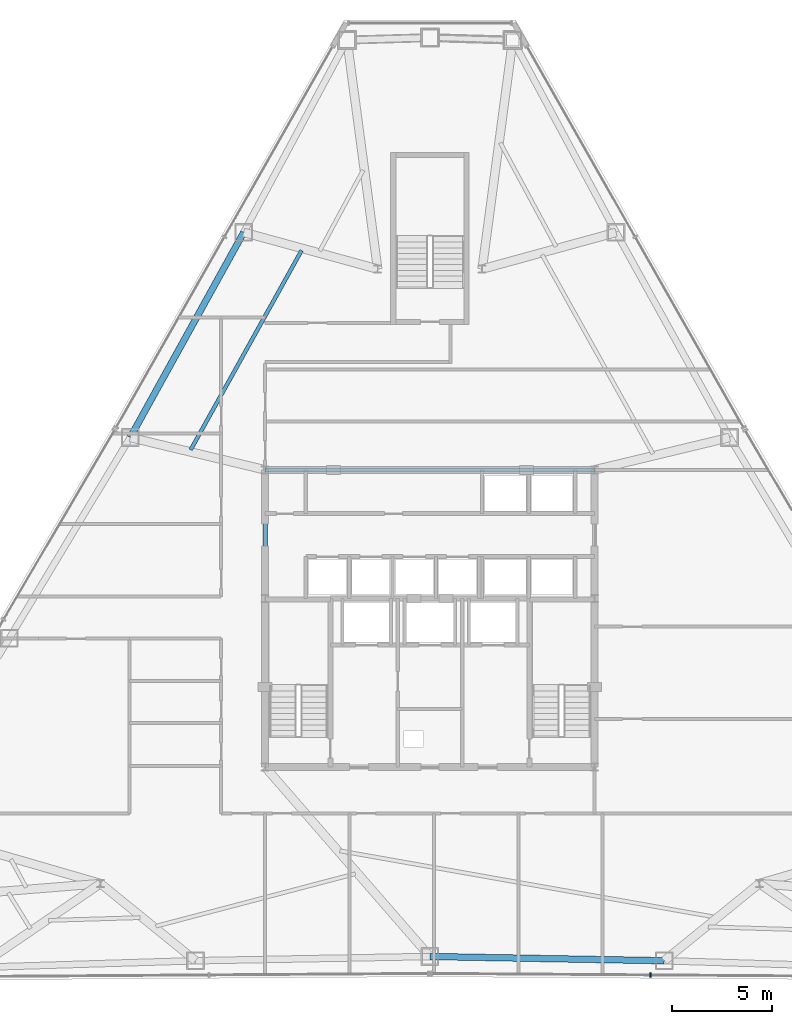
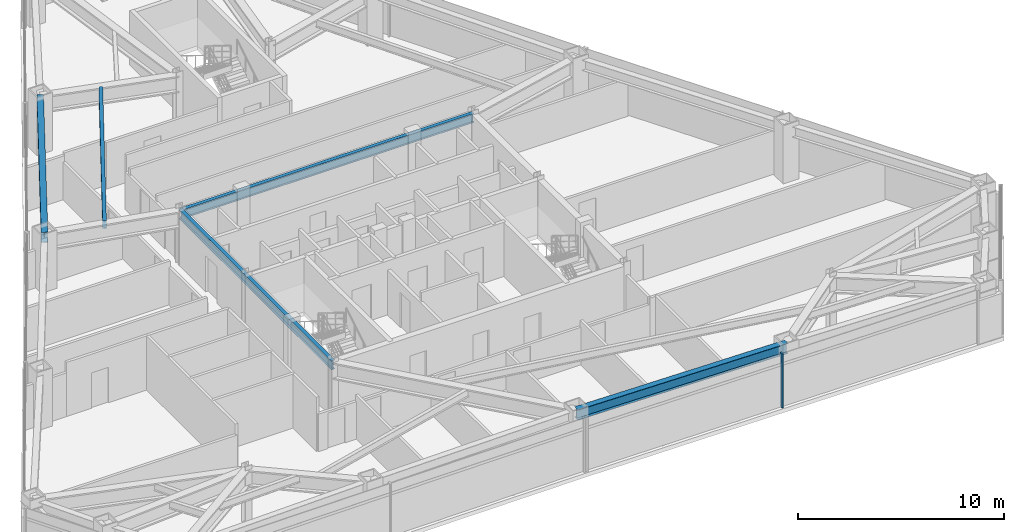
# One storey, part 5 of 13: 5 beams, 1 member, 1 element without a shape of its own.
"""IFC4 building model written with IfcOpenShell, lengths in metres."""

from ifc_helpers import new_model, si_unit, direction, frame, origin, origin_2d, place, context, subcontext, project, spatial, rectangle, i_section, extrude, source, transform, mapped, material, layer, layer_set, material_profile, profile_set, type_object, type_shapes, element, aggregate, save


model = new_model("IFC4")

# Units and contexts
model_context = context("Model", 3, precision=1e-05, world=origin(), true_north=direction((0.0, 1.0)))
body_context = subcontext(model_context, "Body", "Model", "MODEL_VIEW")
ifc_project = project(units=[si_unit("LENGTHUNIT", "METRE"), si_unit("AREAUNIT", "SQUARE_METRE"), si_unit("VOLUMEUNIT", "CUBIC_METRE"), si_unit("PLANEANGLEUNIT", "RADIAN"), si_unit("MASSUNIT", "GRAM", prefix="KILO")], contexts=[model_context])

# Site, building, storey
site_placement = place(None, origin())
site = spatial("IfcSite", under=ifc_project, at=site_placement, CompositionType="ELEMENT")
building_placement = place(site_placement, origin())
building = spatial("IfcBuilding", under=site, at=building_placement, Name="Varakhsha Concourse Tower", CompositionType="ELEMENT")
storey_placement = place(building_placement, frame((0.0, 0.0, 136.699951171875)))
storey = spatial("IfcBuildingStorey", under=building, at=storey_placement, Name="L39", CompositionType="ELEMENT", Elevation=136.699951171875)

# Beams
ifc_material_1 = material(Name="Structural Steel ASTM A992 Grade 50", Category="steel")
ifc_material_profile_1 = material_profile(ifc_material_1, i_section(OverallWidth=0.19091796875, OverallDepth=0.45703125, WebThickness=0.009033203125, FlangeThickness=0.013916015625, at=origin_2d()), Name="W18X50")
ifc_profile_set_1 = profile_set([ifc_material_profile_1], Name="Structural Steel ASTM A992 Grade 50")
beam_type_1 = type_object("IfcBeamType", Name="BM-JST-W18X50", PredefinedType="JOIST", material=ifc_profile_set_1)
beam_1_placement = place(storey_placement, frame((33.611572265625, 42.126708984375, 2.9814453125), z_axis=(-0.486139230304, -0.873881369958, 0.0), x_axis=(0.873881369958, -0.486139230304, 0.0)))
element("IfcBeam", 1, at=beam_1_placement, inside=storey, type_object=beam_type_1, Name="BM-TJST-L39-04", PredefinedType="JOIST", context=body_context, shape_type="SweptSolid", body=[
    extrude(i_section(OverallWidth=0.19091796875, OverallDepth=0.45703125, WebThickness=0.009033203125, FlangeThickness=0.013916015625, at=origin_2d()), origin(), (0.0, 0.0, 1.0), 11.35888671875),
])
ifc_material_profile_2 = material_profile(ifc_material_1, i_section(OverallWidth=0.2109375, OverallDepth=0.5390625, WebThickness=0.011962890625, FlangeThickness=0.01904296875, at=origin_2d()), Name="W21X73")
ifc_profile_set_2 = profile_set([ifc_material_profile_2], Name="Structural Steel ASTM A992 Grade 50")
beam_type_2 = type_object("IfcBeamType", Name="BM-RAD-W21X73", PredefinedType="BEAM", material=ifc_profile_set_2)
beam_2_placement = place(storey_placement, frame((31.800048828125, 31.199951171875, 2.9404296875), z_axis=(1.0, 0.0, 0.0), x_axis=(0.0, 1.0, 0.0)))
element("IfcBeam", 2, at=beam_2_placement, inside=storey, type_object=beam_type_2, Name="BM-TCORE-L39-CN", PredefinedType="BEAM", context=body_context, shape_type="SweptSolid", body=[
    extrude(i_section(OverallWidth=0.2109375, OverallDepth=0.5390625, WebThickness=0.011962890625, FlangeThickness=0.01904296875, at=origin_2d()), origin(), (0.0, 0.0, 1.0), 16.39990234375),
])
beam_3_placement = place(storey_placement, frame((31.800048828125, 16.39990234375, 2.9404296875), z_axis=(0.0, 1.0, 0.0), x_axis=(-1.0, 0.0, 0.0)))
element("IfcBeam", 3, at=beam_3_placement, inside=storey, type_object=beam_type_2, Name="BM-TCORE-L39-CW", PredefinedType="BEAM", context=body_context, shape_type="SweptSolid", body=[
    extrude(i_section(OverallWidth=0.2109375, OverallDepth=0.5390625, WebThickness=0.011962890625, FlangeThickness=0.01904296875, at=origin_2d()), origin(), (0.0, 0.0, 1.0), 14.800048828125),
])
ifc_material_profile_3 = material_profile(ifc_material_1, i_section(OverallWidth=0.323974609375, OverallDepth=0.611083984375, WebThickness=0.012939453125, FlangeThickness=0.01904296875, at=origin_2d()), Name="W24X104")
ifc_profile_set_3 = profile_set([ifc_material_profile_3], Name="Structural Steel ASTM A992 Grade 50")
beam_type_3 = type_object("IfcBeamType", Name="BM-SPAN-W24X104", PredefinedType="SPANDREL", material=ifc_profile_set_3)
beam_4_placement = place(storey_placement, frame((30.73046875, 43.0263671875, 2.904541015625), z_axis=(-0.484256982071, -0.874925811321, 0.0), x_axis=(0.874925811321, -0.484256982071, 0.0)))
element("IfcBeam", 4, at=beam_4_placement, inside=storey, type_object=beam_type_3, Name="BM-SPAN-L39-04", PredefinedType="SPANDREL", context=body_context, shape_type="SweptSolid", body=[
    extrude(i_section(OverallWidth=0.323974609375, OverallDepth=0.611083984375, WebThickness=0.012939453125, FlangeThickness=0.01904296875, at=origin_2d()), origin(), (0.0, 0.0, 1.0), 11.671142578125),
])
beam_5_placement = place(storey_placement, frame((40.0, 6.97021484375, 2.904541015625), z_axis=(0.99983628966, -0.018094028841, 0.0), x_axis=(0.018094028841, 0.99983628966, 0.0)))
element("IfcBeam", 5, at=beam_5_placement, inside=storey, type_object=beam_type_3, Name="BM-SPAN-L39-11", PredefinedType="SPANDREL", context=body_context, shape_type="SweptSolid", body=[
    extrude(i_section(OverallWidth=0.323974609375, OverallDepth=0.611083984375, WebThickness=0.012939453125, FlangeThickness=0.01904296875, at=origin_2d()), origin(), (0.0, 0.0, 1.0), 11.67138671875),
])

# Curtain wall, member
ifc_material_2 = material(Name="Anodised Bronze Architectural Aluminium AA 6063-T6", Category="aluminium")
ifc_layer = layer(ifc_material_2, 0.2099609375, Name="CW-SYS-04")
ifc_layer_set = layer_set([ifc_layer], Name="Anodised Bronze Architectural Aluminium AA 6063-T6")
curtain_wall_type = type_object("IfcCurtainWallType", Name="CW-SYS-04", PredefinedType="NOTDEFINED", material=ifc_layer_set)
curtain_wall_placement = place(storey_placement, origin())
curtain_wall = element("IfcCurtainWall", 6, at=curtain_wall_placement, inside=storey, type_object=curtain_wall_type, Name="L39 Crystal Curtain Wall F6", PredefinedType="NOTDEFINED")
ifc_material_profile_4 = material_profile(ifc_material_2, rectangle(XDim=0.074951171875, YDim=0.219970703125, at=origin_2d()), Name="CWM-220X75")
ifc_profile_set_4 = profile_set([ifc_material_profile_4], Name="Anodised Bronze Architectural Aluminium AA 6063-T6")
member_type = type_object("IfcMemberType", Name="CWM-220X75", PredefinedType="MULLION", material=ifc_profile_set_4)
shared_shape = source(origin(), body_context, "Body", "SweptSolid", [
    extrude(rectangle(XDim=0.074951171875, YDim=0.219970703125, at=origin_2d()), origin(), (0.0, 0.0, 1.0), 3.2099609375),
])
type_shapes(member_type, [shared_shape])
member_placement = place(storey_placement, frame((50.994384765625, 6.043701171875, 0.0), z_axis=(0.0, 0.0, 1.0), x_axis=(-0.999976976275, 0.006785788053, 0.0)))
member = element("IfcMember", 7, at=member_placement, type_object=member_type, Name="CW-L39-F6 Mullion 01", PredefinedType="MULLION", context=body_context, shape_type="MappedRepresentation", body=[
    mapped(shared_shape, transform((0.0, 0.0, 0.0), scale=1.0)),
])
aggregate(curtain_wall, [member])

save(model, "model.ifc")
